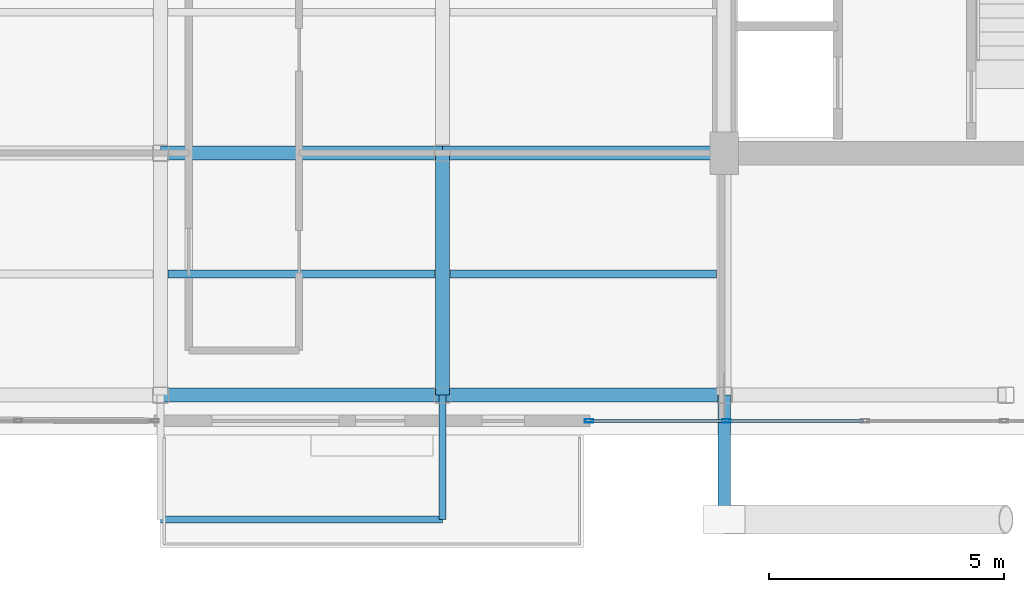
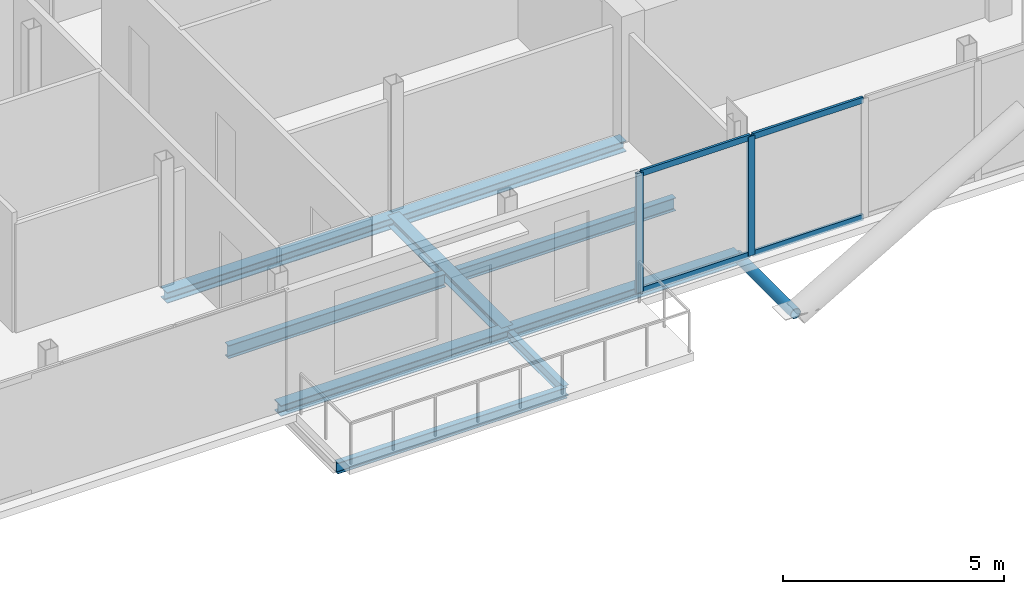
# One storey, part 4 of 18: 9 beams, 7 members, 1 element without a shape of its own.
"""IFC4 building model written with IfcOpenShell, lengths in metres."""

from ifc_helpers import new_model, si_unit, direction, frame, origin, origin_2d, place, context, subcontext, project, spatial, hollow_rectangle, hollow_circle, i_section, extrude, material, layer, layer_set, material_profile, profile_set, type_object, element, aggregate, save


model = new_model("IFC4")

# Units and contexts
model_context = context("Model", 3, precision=1e-05, world=origin(), true_north=direction((0.0, 1.0)))
body_context = subcontext(model_context, "Body", "Model", "MODEL_VIEW")
ifc_project = project(units=[si_unit("LENGTHUNIT", "METRE"), si_unit("AREAUNIT", "SQUARE_METRE"), si_unit("VOLUMEUNIT", "CUBIC_METRE"), si_unit("PLANEANGLEUNIT", "RADIAN"), si_unit("MASSUNIT", "GRAM", prefix="KILO"), si_unit("THERMODYNAMICTEMPERATUREUNIT", "KELVIN"), si_unit("POWERUNIT", "WATT")], contexts=[model_context])

# Site, building, storey
site_placement = place(None, origin())
site = spatial("IfcSite", under=ifc_project, at=site_placement, CompositionType="ELEMENT")
building_placement = place(site_placement, origin())
building = spatial("IfcBuilding", under=site, at=building_placement, Name="Svarakhadi Broadcast Tower", CompositionType="ELEMENT")
storey_placement = place(building_placement, frame((0.0, 0.0, 267.699951171875)))
storey = spatial("IfcBuildingStorey", under=building, at=storey_placement, Name="L67", CompositionType="ELEMENT", Elevation=267.699951171875)

# Beams
ifc_material_1 = material(Name="Steel S355J2 (IS 2062 E350C)", Category="steel")
ifc_material_profile_1 = material_profile(ifc_material_1, i_section(OverallWidth=0.169921875, OverallDepth=0.360107421875, WebThickness=0.008056640625, FlangeThickness=0.0126953125, FilletRadius=0.01806640625, at=origin_2d()), Name="NPB 360x170x57")
ifc_profile_set_1 = profile_set([ifc_material_profile_1], Name="Steel S355J2 (IS 2062 E350C)")
beam_type_1 = type_object("IfcBeamType", Name="Beam_NPB360", PredefinedType="BEAM", material=ifc_profile_set_1)
for number, where, z_axis, x_axis, name in (
    (1, (12.159912109375, 3.425048828125, -0.3798828125), (1.0, 0.0, 0.0), (0.0, 1.0, 0.0), "L67 Secondary Composite Beam SB007"),
    (2, (18.159912109375, 3.425048828125, -0.3798828125), (1.0, 0.0, 0.0), (0.0, 1.0, 0.0), "L67 Secondary Composite Beam SB010"),
):
    element("IfcBeam", number, at=place(storey_placement, frame(where, z_axis=z_axis, x_axis=x_axis)), inside=storey, type_object=beam_type_1, Name=name, PredefinedType="BEAM", context=body_context, shape_type="SweptSolid", body=[
        extrude(i_section(OverallWidth=0.169921875, OverallDepth=0.360107421875, WebThickness=0.008056640625, FlangeThickness=0.0126953125, FilletRadius=0.01806640625, at=origin_2d()), origin(), (0.0, 0.0, 1.0), 5.68017578125),
    ])

# Curtain wall, members
ifc_material_2 = material(Name="Anodised Bronze Aluminium AA 6063-T6", Category="aluminium")
ifc_layer = layer(ifc_material_2, 0.179931640625)
ifc_layer_set = layer_set([ifc_layer], Name="Anodised Bronze Aluminium AA 6063-T6")
curtain_wall_type = type_object("IfcCurtainWallType", Name="CW_Sys_05", PredefinedType="NOTDEFINED", material=ifc_layer_set)
curtain_wall_placement = place(storey_placement, origin())
curtain_wall = element("IfcCurtainWall", 3, at=curtain_wall_placement, inside=storey, type_object=curtain_wall_type, Name="L67 South Curtain Wall 16", PredefinedType="NOTDEFINED")
ifc_material_profile_2 = material_profile(ifc_material_2, hollow_rectangle(XDim=0.070068359375, YDim=0.179931640625, WallThickness=0.005615234375, at=origin_2d()), Name="ALU MULLION 180x70x6")
ifc_profile_set_2 = profile_set([ifc_material_profile_2], Name="Anodised Bronze Aluminium AA 6063-T6")
member_type_1 = type_object("IfcMemberType", Name="CW_Sys_05_Mul", PredefinedType="MULLION", material=ifc_profile_set_2)
member_1_placement = place(storey_placement, frame((24.044921875, 0.300048828125, 0.0), z_axis=(0.0, 0.0, 1.0), x_axis=(0.0, -1.0, 0.0)))
member_1 = element("IfcMember", 4, at=member_1_placement, type_object=member_type_1, Name="CW-05 mullion 4", PredefinedType="MULLION", context=body_context, shape_type="SweptSolid", body=[
    extrude(hollow_rectangle(XDim=0.070068359375, YDim=0.179931640625, WallThickness=0.005615234375, at=origin_2d()), origin(), (0.0, 0.0, 1.0), 3.300048828125),
])
member_2_placement = place(storey_placement, frame((21.125, 0.300048828125, 0.0), z_axis=(0.0, 0.0, 1.0), x_axis=(0.0, -1.0, 0.0)))
member_2 = element("IfcMember", 5, at=member_2_placement, type_object=member_type_1, Name="CW-05 mullion 5", PredefinedType="MULLION", context=body_context, shape_type="SweptSolid", body=[
    extrude(hollow_rectangle(XDim=0.070068359375, YDim=0.179931640625, WallThickness=0.005615234375, at=origin_2d()), origin(), (0.0, 0.0, 1.0), 3.300048828125),
])
ifc_material_profile_3 = material_profile(ifc_material_2, hollow_rectangle(XDim=0.06494140625, YDim=0.1650390625, WallThickness=0.0048828125, at=origin_2d()), Name="ALU TRANSOM 165x65x5")
ifc_profile_set_3 = profile_set([ifc_material_profile_3], Name="Anodised Bronze Aluminium AA 6063-T6")
member_type_2 = type_object("IfcMemberType", Name="CW_Sys_05_Trn", PredefinedType="USERDEFINED", material=ifc_profile_set_3)
member_3_placement = place(storey_placement, frame((26.965087890625, 0.300048828125, 0.032470703125), z_axis=(-1.0, 0.0, 0.0), x_axis=(0.0, -1.0, 0.0)))
member_3 = element("IfcMember", 6, at=member_3_placement, type_object=member_type_2, Name="CW-05 transom 3.1", ObjectType="TRANSOM", PredefinedType="USERDEFINED", context=body_context, shape_type="SweptSolid", body=[
    extrude(hollow_rectangle(XDim=0.06494140625, YDim=0.1650390625, WallThickness=0.0048828125, at=origin_2d()), origin(), (0.0, 0.0, 1.0), 2.885009765625),
])
member_4_placement = place(storey_placement, frame((26.965087890625, 0.300048828125, 3.267578125), z_axis=(-1.0, 0.0, 0.0), x_axis=(0.0, -1.0, 0.0)))
member_4 = element("IfcMember", 7, at=member_4_placement, type_object=member_type_2, Name="CW-05 transom 3.2", ObjectType="TRANSOM", PredefinedType="USERDEFINED", context=body_context, shape_type="SweptSolid", body=[
    extrude(hollow_rectangle(XDim=0.06494140625, YDim=0.1650390625, WallThickness=0.0048828125, at=origin_2d()), origin(), (0.0, 0.0, 1.0), 2.885009765625),
])
member_5_placement = place(storey_placement, frame((24.010009765625, 0.300048828125, 0.032470703125), z_axis=(-1.0, 0.0, 0.0), x_axis=(0.0, -1.0, 0.0)))
member_5 = element("IfcMember", 8, at=member_5_placement, type_object=member_type_2, Name="CW-05 transom 4.1", ObjectType="TRANSOM", PredefinedType="USERDEFINED", context=body_context, shape_type="SweptSolid", body=[
    extrude(hollow_rectangle(XDim=0.06494140625, YDim=0.1650390625, WallThickness=0.0048828125, at=origin_2d()), origin(), (0.0, 0.0, 1.0), 2.85009765625),
])
member_6_placement = place(storey_placement, frame((24.010009765625, 0.300048828125, 3.267578125), z_axis=(-1.0, 0.0, 0.0), x_axis=(0.0, -1.0, 0.0)))
member_6 = element("IfcMember", 9, at=member_6_placement, type_object=member_type_2, Name="CW-05 transom 4.2", ObjectType="TRANSOM", PredefinedType="USERDEFINED", context=body_context, shape_type="SweptSolid", body=[
    extrude(hollow_rectangle(XDim=0.06494140625, YDim=0.1650390625, WallThickness=0.0048828125, at=origin_2d()), origin(), (0.0, 0.0, 1.0), 2.85009765625),
])
aggregate(curtain_wall, [member_1, member_2, member_3, member_4, member_5, member_6])

# Member
ifc_material_3 = material(Name="Steel S460ML (IS 2062 E450BR)", Category="steel")
ifc_material_profile_4 = material_profile(ifc_material_3, hollow_circle(Radius=0.136474609375, WallThickness=0.012451171875, at=origin_2d()), Name="CHS 273x12.5")
ifc_profile_set_4 = profile_set([ifc_material_profile_4], Name="Steel S460ML (IS 2062 E450BR)")
member_type_3 = type_object("IfcMemberType", Name="Exo_Radial_Strut_Z3", PredefinedType="STRUT", material=ifc_profile_set_4)
member_7_placement = place(storey_placement, frame((24.0, -1.800048828125, -0.33642578125), z_axis=(0.0, 1.0, 0.0), x_axis=(-1.0, 0.0, 0.0)))
element("IfcMember", 10, at=member_7_placement, inside=storey, type_object=member_type_3, Name="L67 Exoskeleton Radial Tie Strut S01", PredefinedType="STRUT", context=body_context, shape_type="SweptSolid", body=[
    extrude(hollow_circle(Radius=0.136474609375, WallThickness=0.012451171875, at=origin_2d()), origin(), (0.0, 0.0, 1.0), 2.650146484375),
])

# Beams
ifc_material_profile_5 = material_profile(ifc_material_1, i_section(OverallWidth=0.300048828125, OverallDepth=0.300048828125, WebThickness=0.010986328125, FlangeThickness=0.01904296875, FilletRadius=0.027099609375, at=origin_2d()), Name="WPB 300x300x117")
ifc_profile_set_5 = profile_set([ifc_material_profile_5], Name="Steel S355J2 (IS 2062 E350C)")
beam_type_2 = type_object("IfcBeamType", Name="Girder_WPB300", PredefinedType="USERDEFINED", material=ifc_profile_set_5)
for number, where, z_axis, x_axis, name in (
    (11, (12.0, 0.85009765625, -0.349853515625), (1.0, 0.0, 0.0), (0.0, 1.0, 0.0), "L67 Primary E-W Girder G005"),
    (12, (18.0, 0.85009765625, -0.349853515625), (1.0, 0.0, 0.0), (0.0, 1.0, 0.0), "L67 Primary E-W Girder G006"),
    (13, (12.0, 6.0, -0.349853515625), (1.0, 0.0, 0.0), (0.0, 1.0, 0.0), "L67 Primary E-W Girder G010"),
    (14, (18.0, 6.0, -0.349853515625), (1.0, 0.0, 0.0), (0.0, 1.0, 0.0), "L67 Primary E-W Girder G011"),
):
    element("IfcBeam", number, at=place(storey_placement, frame(where, z_axis=z_axis, x_axis=x_axis)), inside=storey, type_object=beam_type_2, Name=name, ObjectType="GIRDER", PredefinedType="USERDEFINED", context=body_context, shape_type="SweptSolid", body=[
        extrude(i_section(OverallWidth=0.300048828125, OverallDepth=0.300048828125, WebThickness=0.010986328125, FlangeThickness=0.01904296875, FilletRadius=0.027099609375, at=origin_2d()), origin(), (0.0, 0.0, 1.0), 6.0),
    ])
beam_1_placement = place(storey_placement, frame((18.0, 0.85009765625, -0.349853515625), z_axis=(0.0, 1.0, 0.0), x_axis=(-1.0, 0.0, 0.0)))
element("IfcBeam", 15, at=beam_1_placement, inside=storey, type_object=beam_type_2, Name="L67 Primary N-S Girder G036", ObjectType="GIRDER", PredefinedType="USERDEFINED", context=body_context, shape_type="SweptSolid", body=[
    extrude(i_section(OverallWidth=0.300048828125, OverallDepth=0.300048828125, WebThickness=0.010986328125, FlangeThickness=0.01904296875, FilletRadius=0.027099609375, at=origin_2d()), origin(), (0.0, 0.0, 1.0), 5.14990234375),
])
ifc_material_profile_6 = material_profile(ifc_material_1, i_section(OverallWidth=0.14990234375, OverallDepth=0.300048828125, WebThickness=0.007080078125, FlangeThickness=0.0107421875, FilletRadius=0.014892578125, at=origin_2d()), Name="NPB 300x150x37")
ifc_profile_set_6 = profile_set([ifc_material_profile_6], Name="Steel S355J2 (IS 2062 E350C)")
beam_type_3 = type_object("IfcBeamType", Name="Spandrel_NPB300", PredefinedType="SPANDREL", material=ifc_profile_set_6)
beam_2_placement = place(storey_placement, frame((18.0, 0.85009765625, -0.375), z_axis=(0.0, -1.0, 0.0), x_axis=(1.0, 0.0, 0.0)))
element("IfcBeam", 16, at=beam_2_placement, inside=storey, type_object=beam_type_3, Name="L67 Balcony Cantilever Bracket 1B", PredefinedType="SPANDREL", context=body_context, shape_type="SweptSolid", body=[
    extrude(i_section(OverallWidth=0.14990234375, OverallDepth=0.300048828125, WebThickness=0.007080078125, FlangeThickness=0.0107421875, FilletRadius=0.014892578125, at=origin_2d()), origin(), (0.0, 0.0, 1.0), 2.650146484375),
])
beam_3_placement = place(storey_placement, frame((12.0, -1.800048828125, -0.375), z_axis=(1.0, 0.0, 0.0), x_axis=(0.0, 1.0, 0.0)))
element("IfcBeam", 17, at=beam_3_placement, inside=storey, type_object=beam_type_3, Name="L67 Balcony Outer Spandrel 1F", PredefinedType="SPANDREL", context=body_context, shape_type="SweptSolid", body=[
    extrude(i_section(OverallWidth=0.14990234375, OverallDepth=0.300048828125, WebThickness=0.007080078125, FlangeThickness=0.0107421875, FilletRadius=0.014892578125, at=origin_2d()), origin(), (0.0, 0.0, 1.0), 6.0),
])

save(model, "model.ifc")
